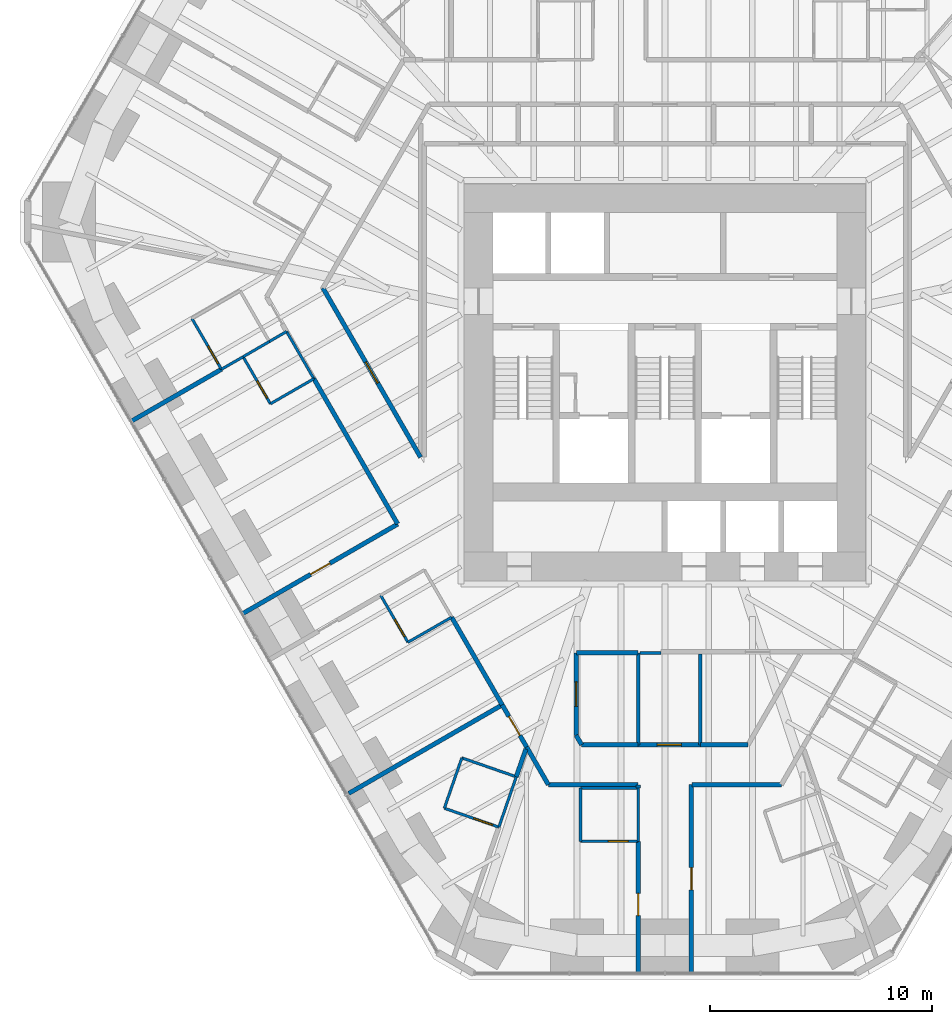
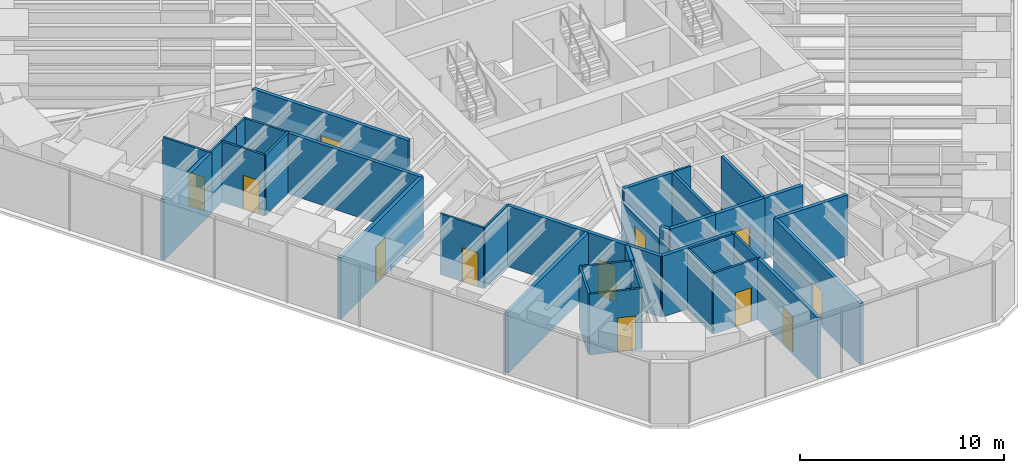
# One storey, part 11 of 17: 40 walls, 12 doors, 12 openings.
"""IFC4 building model written with IfcOpenShell, lengths in metres."""

from ifc_helpers import new_model, si_unit, direction, frame, frame_2d, origin, place, context, subcontext, project, spatial, rectangle, extrude, material, layer, layer_set, type_object, element, fill, save


model = new_model("IFC4")

# Units and contexts
model_context = context("Model", 3, precision=1e-05, world=origin(), true_north=direction((0.0, 1.0)))
body_context = subcontext(model_context, "Body", "Model", "MODEL_VIEW")
ifc_project = project(units=[si_unit("LENGTHUNIT", "METRE"), si_unit("AREAUNIT", "SQUARE_METRE"), si_unit("VOLUMEUNIT", "CUBIC_METRE"), si_unit("PLANEANGLEUNIT", "RADIAN"), si_unit("MASSUNIT", "GRAM", prefix="KILO")], contexts=[model_context])

# Site, building, storey
site_placement = place(None, origin())
site = spatial("IfcSite", under=ifc_project, at=site_placement, CompositionType="ELEMENT")
building_placement = place(site_placement, origin())
building = spatial("IfcBuilding", under=site, at=building_placement, Name="Sandreach Pilgrim Tower", CompositionType="ELEMENT")
storey_placement = place(building_placement, frame((0.0, 0.0, 100.60009765625)))
storey = spatial("IfcBuildingStorey", under=building, at=storey_placement, Name="L24", CompositionType="ELEMENT", Elevation=100.60009765625)

# Walls
ifc_material_1 = material(Name="Gypsum board on steel studs", Category="steel")
ifc_layer_1 = layer(ifc_material_1, 0.14990234375)
ifc_layer_set_1 = layer_set([ifc_layer_1], Name="Back of house wall 150")
wall_type_1 = type_object("IfcWallType", Name="Back of house wall 150", PredefinedType="PARTITIONING", material=ifc_layer_set_1)
wall_1_placement = place(storey_placement, frame((-1.199951171875, -13.75, 0.0), z_axis=(0.0, 0.0, 1.0), x_axis=(0.0, -1.0, 0.0)))
element("IfcWall", 1, at=wall_1_placement, inside=storey, type_object=wall_type_1, Name="Back of house wall L24-082", PredefinedType="PARTITIONING", context=body_context, shape_type="SweptSolid", body=[
    extrude(rectangle(XDim=4.139892578125, YDim=0.14990234375, at=frame_2d((2.06982421875, 0.0))), origin(), (0.0, 0.0, 1.0), 3.639892578125),
])
wall_2_placement = place(storey_placement, frame((1.60009765625, -13.800048828125, 0.0), z_axis=(0.0, 0.0, 1.0), x_axis=(0.0, -1.0, 0.0)))
element("IfcWall", 2, at=wall_2_placement, inside=storey, type_object=wall_type_1, Name="Back of house wall L24-088", PredefinedType="PARTITIONING", context=body_context, shape_type="SweptSolid", body=[
    extrude(rectangle(XDim=4.08984375, YDim=0.14990234375, at=frame_2d((2.044921875, 0.0))), origin(), (0.0, 0.0, 1.0), 3.639892578125),
])

# Wall, opening, door
ifc_material_2 = material(Name="Moisture-resistant gypsum board on steel studs", Category="steel")
ifc_layer_2 = layer(ifc_material_2, 0.1201171875)
ifc_layer_set_2 = layer_set([ifc_layer_2], Name="Bathroom partition 120")
wall_type_2 = type_object("IfcWallType", Name="Bathroom partition 120", PredefinedType="PARTITIONING", material=ifc_layer_set_2)
wall_3_placement = place(storey_placement, frame((-21.320068359375, 1.330078125, 0.0), z_axis=(0.0, 0.0, 1.0), x_axis=(0.502242265546, -0.864726954997, 0.0)))
wall_3 = element("IfcWall", 3, at=wall_3_placement, inside=storey, type_object=wall_type_2, Name="Bathroom partition L24-005", PredefinedType="PARTITIONING", context=body_context, shape_type="SweptSolid", body=[
    extrude(rectangle(XDim=2.648193359375, YDim=0.1201171875, at=frame_2d((1.32421875, 0.0))), origin(), (0.0, 0.0, 1.0), 3.639892578125),
])
opening_1_placement = place(wall_3_placement, frame((1.4482421875, 0.0, 0.0)))
opening_1 = element("IfcOpeningElement", 4, at=opening_1_placement, cuts=wall_3, Name="Opening D09-15B", PredefinedType="OPENING", context=body_context, shape_type="SweptSolid", body=[
    extrude(rectangle(XDim=0.89990234375, YDim=2.030029296875, at=frame_2d((0.449951171875, 1.01513671875))), frame((0.0, 0.06005859375, 0.0), z_axis=(0.0, -1.0, 0.0), x_axis=(1.0, 0.0, 0.0)), (0.0, 0.0, 1.0), 0.1201171875),
])
ifc_material_3 = material(Name="Timber door, steel frame", Category="steel")
door_type_1 = type_object("IfcDoorType", Name="Bathroom door", OperationType="SINGLE_SWING_LEFT", PredefinedType="DOOR", material=ifc_material_3)
door_1_placement = place(opening_1_placement, origin())
door_1 = element("IfcDoor", 5, at=door_1_placement, inside=storey, type_object=door_type_1, Name="Door 2415B", OperationType="SINGLE_SWING_RIGHT", OverallHeight=2.030029296875, OverallWidth=0.89990234375, PredefinedType="DOOR", context=body_context, shape_type="SweptSolid", body=[
    extrude(rectangle(XDim=0.89990234375, YDim=2.030029296875, at=frame_2d((0.449951171875, 1.01513671875))), frame((0.0, 0.02490234375, 0.0), z_axis=(0.0, -1.0, 0.0), x_axis=(1.0, 0.0, 0.0)), (0.0, 0.0, 1.0), 0.050048828125),
])
fill(opening_1, door_1)

# Walls
wall_4_placement = place(storey_placement, frame((-19.988037109375, -0.963623046875, 0.0), z_axis=(0.0, 0.0, 1.0), x_axis=(0.866387145727, 0.49937292049, 0.0)))
element("IfcWall", 6, at=wall_4_placement, inside=storey, type_object=wall_type_2, Name="Bathroom partition L24-006", PredefinedType="PARTITIONING", context=body_context, shape_type="SweptSolid", body=[
    extrude(rectangle(XDim=1.12890625, YDim=0.1201171875, at=frame_2d((0.564453125, 0.0))), origin(), (0.0, 0.0, 1.0), 3.639892578125),
])
wall_5_placement = place(storey_placement, frame((-19.010009765625, -0.39990234375, 0.0), z_axis=(0.0, 0.0, 1.0), x_axis=(0.864425960582, 0.502760140297, 0.0)))
element("IfcWall", 7, at=wall_5_placement, inside=storey, type_object=wall_type_2, Name="Bathroom partition L24-010", PredefinedType="PARTITIONING", context=body_context, shape_type="SweptSolid", body=[
    extrude(rectangle(XDim=1.366943359375, YDim=0.1201171875, at=frame_2d((0.68359375, 0.0))), origin(), (0.0, 0.0, 1.0), 3.639892578125),
])

# Wall, opening, door
wall_6_placement = place(storey_placement, frame((-19.010009765625, -0.39990234375, 0.0), z_axis=(0.0, 0.0, 1.0), x_axis=(0.501813488763, -0.864975850817, 0.0)))
wall_6 = element("IfcWall", 8, at=wall_6_placement, inside=storey, type_object=wall_type_2, Name="Bathroom partition L24-011", PredefinedType="PARTITIONING", context=body_context, shape_type="SweptSolid", body=[
    extrude(rectangle(XDim=2.451171875, YDim=0.1201171875, at=frame_2d((1.2255859375, 0.0))), origin(), (0.0, 0.0, 1.0), 3.639892578125),
])
opening_2_placement = place(wall_6_placement, frame((1.2509765625, 0.0, 0.0)))
opening_2 = element("IfcOpeningElement", 9, at=opening_2_placement, cuts=wall_6, Name="Opening D09-14B", PredefinedType="OPENING", context=body_context, shape_type="SweptSolid", body=[
    extrude(rectangle(XDim=0.89990234375, YDim=2.030029296875, at=frame_2d((0.449951171875, 1.01513671875))), frame((0.0, 0.06005859375, 0.0), z_axis=(0.0, -1.0, 0.0), x_axis=(1.0, 0.0, 0.0)), (0.0, 0.0, 1.0), 0.1201171875),
])
door_2_placement = place(opening_2_placement, origin())
door_2 = element("IfcDoor", 10, at=door_2_placement, inside=storey, type_object=door_type_1, Name="Door 2414B", OperationType="SINGLE_SWING_RIGHT", OverallHeight=2.030029296875, OverallWidth=0.89990234375, PredefinedType="DOOR", context=body_context, shape_type="SweptSolid", body=[
    extrude(rectangle(XDim=0.89990234375, YDim=2.030029296875, at=frame_2d((0.449951171875, 1.01513671875))), frame((0.0, 0.02490234375, 0.0), z_axis=(0.0, -1.0, 0.0), x_axis=(1.0, 0.0, 0.0)), (0.0, 0.0, 1.0), 0.050048828125),
])
fill(opening_2, door_2)

# Walls
wall_7_placement = place(storey_placement, frame((-17.828369140625, 0.287353515625, 0.0), z_axis=(0.0, 0.0, 1.0), x_axis=(0.864446899112, 0.502724137689, 0.0)))
element("IfcWall", 11, at=wall_7_placement, inside=storey, type_object=wall_type_2, Name="Bathroom partition L24-016", PredefinedType="PARTITIONING", context=body_context, shape_type="SweptSolid", body=[
    extrude(rectangle(XDim=0.900390625, YDim=0.1201171875, at=frame_2d((0.4501953125, 0.0))), origin(), (0.0, 0.0, 1.0), 3.639892578125),
])
wall_8_placement = place(storey_placement, frame((-17.780029296875, -2.52001953125, 0.0), z_axis=(0.0, 0.0, 1.0), x_axis=(0.866304131286, 0.49951691875, 0.0)))
element("IfcWall", 12, at=wall_8_placement, inside=storey, type_object=wall_type_2, Name="Bathroom partition L24-018", PredefinedType="PARTITIONING", context=body_context, shape_type="SweptSolid", body=[
    extrude(rectangle(XDim=2.262451171875, YDim=0.1201171875, at=frame_2d((1.13134765625, 0.0))), origin(), (0.0, 0.0, 1.0), 3.639892578125),
])
wall_9_placement = place(storey_placement, frame((-17.05029296875, 0.739990234375, 0.0), z_axis=(0.0, 0.0, 1.0), x_axis=(0.500163488538, -0.865930993055, 0.0)))
element("IfcWall", 13, at=wall_9_placement, inside=storey, type_object=wall_type_2, Name="Bathroom partition L24-022", PredefinedType="PARTITIONING", context=body_context, shape_type="SweptSolid", body=[
    extrude(rectangle(XDim=2.459716796875, YDim=0.1201171875, at=frame_2d((1.22998046875, 0.0))), origin(), (0.0, 0.0, 1.0), 3.639892578125),
])

# Wall, opening, door
wall_10_placement = place(storey_placement, frame((-12.81005859375, -11.14990234375, 0.0), z_axis=(0.0, 0.0, 1.0), x_axis=(0.501813488763, -0.864975850817, 0.0)))
wall_10 = element("IfcWall", 14, at=wall_10_placement, inside=storey, type_object=wall_type_2, Name="Bathroom partition L24-032", PredefinedType="PARTITIONING", context=body_context, shape_type="SweptSolid", body=[
    extrude(rectangle(XDim=2.451171875, YDim=0.1201171875, at=frame_2d((1.2255859375, 0.0))), origin(), (0.0, 0.0, 1.0), 3.639892578125),
])
opening_3_placement = place(wall_10_placement, frame((1.2509765625, 0.0, 0.0)))
opening_3 = element("IfcOpeningElement", 15, at=opening_3_placement, cuts=wall_10, Name="Opening D09-13B", PredefinedType="OPENING", context=body_context, shape_type="SweptSolid", body=[
    extrude(rectangle(XDim=0.89990234375, YDim=2.030029296875, at=frame_2d((0.449951171875, 1.01513671875))), frame((0.0, 0.06005859375, 0.0), z_axis=(0.0, -1.0, 0.0), x_axis=(1.0, 0.0, 0.0)), (0.0, 0.0, 1.0), 0.1201171875),
])
door_3_placement = place(opening_3_placement, origin())
door_3 = element("IfcDoor", 16, at=door_3_placement, inside=storey, type_object=door_type_1, Name="Door 2413B", OperationType="SINGLE_SWING_RIGHT", OverallHeight=2.030029296875, OverallWidth=0.89990234375, PredefinedType="DOOR", context=body_context, shape_type="SweptSolid", body=[
    extrude(rectangle(XDim=0.89990234375, YDim=2.030029296875, at=frame_2d((0.449951171875, 1.01513671875))), frame((0.0, 0.02490234375, 0.0), z_axis=(0.0, -1.0, 0.0), x_axis=(1.0, 0.0, 0.0)), (0.0, 0.0, 1.0), 0.050048828125),
])
fill(opening_3, door_3)

# Wall
wall_11_placement = place(storey_placement, frame((-11.580078125, -13.27001953125, 0.0), z_axis=(0.0, 0.0, 1.0), x_axis=(0.867428373024, 0.497562074192, 0.0)))
element("IfcWall", 17, at=wall_11_placement, inside=storey, type_object=wall_type_2, Name="Bathroom partition L24-039", PredefinedType="PARTITIONING", context=body_context, shape_type="SweptSolid", body=[
    extrude(rectangle(XDim=2.271240234375, YDim=0.1201171875, at=frame_2d((1.1357421875, 0.0))), origin(), (0.0, 0.0, 1.0), 3.639892578125),
])

# Wall, opening, door
wall_12_placement = place(storey_placement, frame((-9.93994140625, -20.75, 0.0), z_axis=(0.0, 0.0, 1.0), x_axis=(0.94515546045, -0.326620813149, 0.0)))
wall_12 = element("IfcWall", 18, at=wall_12_placement, inside=storey, type_object=wall_type_2, Name="Bathroom partition L24-048", PredefinedType="PARTITIONING", context=body_context, shape_type="SweptSolid", body=[
    extrude(rectangle(XDim=2.602783203125, YDim=0.1201171875, at=frame_2d((1.30126953125, 0.0))), origin(), (0.0, 0.0, 1.0), 3.639892578125),
])
opening_4_placement = place(wall_12_placement, frame((1.402587890625, 0.0, 0.0)))
opening_4 = element("IfcOpeningElement", 19, at=opening_4_placement, cuts=wall_12, Name="Opening D09-12B", PredefinedType="OPENING", context=body_context, shape_type="SweptSolid", body=[
    extrude(rectangle(XDim=0.89990234375, YDim=2.030029296875, at=frame_2d((0.449951171875, 1.01513671875))), frame((0.0, 0.06005859375, 0.0), z_axis=(0.0, -1.0, 0.0), x_axis=(1.0, 0.0, 0.0)), (0.0, 0.0, 1.0), 0.1201171875),
])
door_4_placement = place(opening_4_placement, origin())
door_4 = element("IfcDoor", 20, at=door_4_placement, inside=storey, type_object=door_type_1, Name="Door 2412B", OperationType="SINGLE_SWING_RIGHT", OverallHeight=2.030029296875, OverallWidth=0.89990234375, PredefinedType="DOOR", context=body_context, shape_type="SweptSolid", body=[
    extrude(rectangle(XDim=0.89990234375, YDim=2.030029296875, at=frame_2d((0.449951171875, 1.01513671875))), frame((0.0, 0.02490234375, 0.0), z_axis=(0.0, -1.0, 0.0), x_axis=(1.0, 0.0, 0.0)), (0.0, 0.0, 1.0), 0.050048828125),
])
fill(opening_4, door_4)

# Walls
wall_13_placement = place(storey_placement, frame((-9.14990234375, -18.47998046875, 0.0), z_axis=(0.0, 0.0, 1.0), x_axis=(-0.328693963496, -0.944436487203, 0.0)))
element("IfcWall", 21, at=wall_13_placement, inside=storey, type_object=wall_type_2, Name="Bathroom partition L24-053", PredefinedType="PARTITIONING", context=body_context, shape_type="SweptSolid", body=[
    extrude(rectangle(XDim=2.403564453125, YDim=0.1201171875, at=frame_2d((1.20166015625, 0.0))), origin(), (0.0, 0.0, 1.0), 3.639892578125),
])
wall_14_placement = place(storey_placement, frame((-7.47998046875, -21.60009765625, 0.0), z_axis=(0.0, 0.0, 1.0), x_axis=(0.326492166492, 0.945199907543, 0.0)))
element("IfcWall", 22, at=wall_14_placement, inside=storey, type_object=wall_type_2, Name="Bathroom partition L24-054", PredefinedType="PARTITIONING", context=body_context, shape_type="SweptSolid", body=[
    extrude(rectangle(XDim=2.400390625, YDim=0.1201171875, at=frame_2d((1.2001953125, 0.0))), origin(), (0.0, 0.0, 1.0), 3.639892578125),
])
wall_15_placement = place(storey_placement, frame((-6.699951171875, -19.330078125, 0.0), z_axis=(0.0, 0.0, 1.0), x_axis=(-0.944753042377, 0.327782990589, 0.0)))
element("IfcWall", 23, at=wall_15_placement, inside=storey, type_object=wall_type_2, Name="Bathroom partition L24-056", PredefinedType="PARTITIONING", context=body_context, shape_type="SweptSolid", body=[
    extrude(rectangle(XDim=2.593505859375, YDim=0.1201171875, at=frame_2d((1.296875, 0.0))), origin(), (0.0, 0.0, 1.0), 3.639892578125),
])

# Wall, opening, door
wall_16_placement = place(storey_placement, frame((-3.800048828125, -22.239990234375, 0.0), z_axis=(0.0, 0.0, 1.0), x_axis=(1.0, 0.0, 0.0)))
wall_16 = element("IfcWall", 24, at=wall_16_placement, inside=storey, type_object=wall_type_2, Name="Bathroom partition L24-067", PredefinedType="PARTITIONING", context=body_context, shape_type="SweptSolid", body=[
    extrude(rectangle(XDim=2.60009765625, YDim=0.1201171875, at=frame_2d((1.300048828125, 0.0))), origin(), (0.0, 0.0, 1.0), 3.639892578125),
])
opening_5_placement = place(wall_16_placement, frame((1.25, 0.0, 0.0)))
opening_5 = element("IfcOpeningElement", 25, at=opening_5_placement, cuts=wall_16, Name="Opening D09-11B", PredefinedType="OPENING", context=body_context, shape_type="SweptSolid", body=[
    extrude(rectangle(XDim=0.89990234375, YDim=2.030029296875, at=frame_2d((0.449951171875, 1.01513671875))), frame((0.0, 0.06005859375, 0.0), z_axis=(0.0, -1.0, 0.0), x_axis=(1.0, 0.0, 0.0)), (0.0, 0.0, 1.0), 0.1201171875),
])
door_5_placement = place(opening_5_placement, origin())
door_5 = element("IfcDoor", 26, at=door_5_placement, inside=storey, type_object=door_type_1, Name="Door 2411B", OperationType="SINGLE_SWING_RIGHT", OverallHeight=2.030029296875, OverallWidth=0.89990234375, PredefinedType="DOOR", context=body_context, shape_type="SweptSolid", body=[
    extrude(rectangle(XDim=0.89990234375, YDim=2.030029296875, at=frame_2d((0.449951171875, 1.01513671875))), frame((0.0, 0.02490234375, 0.0), z_axis=(0.0, -1.0, 0.0), x_axis=(1.0, 0.0, 0.0)), (0.0, 0.0, 1.0), 0.050048828125),
])
fill(opening_5, door_5)

# Walls
wall_17_placement = place(storey_placement, frame((-3.800048828125, -19.840087890625, 0.0), z_axis=(0.0, 0.0, 1.0), x_axis=(0.0, -1.0, 0.0)))
element("IfcWall", 27, at=wall_17_placement, inside=storey, type_object=wall_type_2, Name="Bathroom partition L24-068", PredefinedType="PARTITIONING", context=body_context, shape_type="SweptSolid", body=[
    extrude(rectangle(XDim=2.39990234375, YDim=0.1201171875, at=frame_2d((1.199951171875, 0.0))), origin(), (0.0, 0.0, 1.0), 3.639892578125),
])
wall_18_placement = place(storey_placement, frame((-1.199951171875, -19.840087890625, 0.0), z_axis=(0.0, 0.0, 1.0), x_axis=(-1.0, 0.0, 0.0)))
element("IfcWall", 28, at=wall_18_placement, inside=storey, type_object=wall_type_2, Name="Bathroom partition L24-078", PredefinedType="PARTITIONING", context=body_context, shape_type="SweptSolid", body=[
    extrude(rectangle(XDim=2.60009765625, YDim=0.1201171875, at=frame_2d((1.300048828125, 0.0))), origin(), (0.0, 0.0, 1.0), 3.639892578125),
])
wall_19_placement = place(storey_placement, frame((-1.199951171875, -19.840087890625, 0.0), z_axis=(0.0, 0.0, 1.0), x_axis=(0.0, -1.0, 0.0)))
element("IfcWall", 29, at=wall_19_placement, inside=storey, type_object=wall_type_2, Name="Bathroom partition L24-079", PredefinedType="PARTITIONING", context=body_context, shape_type="SweptSolid", body=[
    extrude(rectangle(XDim=2.39990234375, YDim=0.1201171875, at=frame_2d((1.199951171875, 0.0))), origin(), (0.0, 0.0, 1.0), 3.639892578125),
])
wall_20_placement = place(storey_placement, frame((-1.125, -13.75, 0.0), z_axis=(0.0, 0.0, 1.0), x_axis=(1.0, 0.0, 0.0)))
element("IfcWall", 30, at=wall_20_placement, inside=storey, type_object=wall_type_2, Name="Bathroom partition L24-083", PredefinedType="PARTITIONING", context=body_context, shape_type="SweptSolid", body=[
    extrude(rectangle(XDim=0.955078125, YDim=0.1201171875, at=frame_2d((0.4775390625, 0.0))), origin(), (0.0, 0.0, 1.0), 3.639892578125),
])

# Wall, opening, door
ifc_material_4 = material(Name="Gypsum board on steel studs, two layers each side", Category="steel")
ifc_layer_3 = layer(ifc_material_4, 0.199951171875)
ifc_layer_set_3 = layer_set([ifc_layer_3], Name="Corridor wall 200")
wall_type_3 = type_object("IfcWallType", Name="Corridor wall 200", PredefinedType="PARTITIONING", material=ifc_layer_set_3)
wall_21_placement = place(storey_placement, frame((-19.02392578125, -11.97509765625, 0.0), z_axis=(0.0, 0.0, 1.0), x_axis=(0.865863907772, 0.500279615034, 0.0)))
wall_21 = element("IfcWall", 31, at=wall_21_placement, inside=storey, type_object=wall_type_3, Name="Corridor wall L24-009", PredefinedType="PARTITIONING", context=body_context, shape_type="SweptSolid", body=[
    extrude(rectangle(XDim=8.06591796875, YDim=0.199951171875, at=frame_2d((4.032958984375, 0.0))), origin(), (0.0, 0.0, 1.0), 3.639892578125),
])
opening_6_placement = place(wall_21_placement, frame((3.532958984375, 0.0, 0.0)))
opening_6 = element("IfcOpeningElement", 32, at=opening_6_placement, cuts=wall_21, Name="Opening D10-14", PredefinedType="OPENING", context=body_context, shape_type="SweptSolid", body=[
    extrude(rectangle(XDim=1.0, YDim=2.1298828125, at=frame_2d((0.5, 1.06494140625))), frame((0.0, 0.10009765625, 0.0), z_axis=(0.0, -1.0, 0.0), x_axis=(1.0, 0.0, 0.0)), (0.0, 0.0, 1.0), 0.199951171875),
])
ifc_material_5 = material(Name="Steel door and frame", Category="steel")
door_type_2 = type_object("IfcDoorType", Name="Guest room entry door", OperationType="SINGLE_SWING_LEFT", PredefinedType="DOOR", material=ifc_material_5)
door_6_placement = place(opening_6_placement, origin())
door_6 = element("IfcDoor", 33, at=door_6_placement, inside=storey, type_object=door_type_2, Name="Door 2414", OperationType="SINGLE_SWING_LEFT", OverallHeight=2.1298828125, OverallWidth=1.0, PredefinedType="DOOR", context=body_context, shape_type="SweptSolid", body=[
    extrude(rectangle(XDim=1.0, YDim=2.1298828125, at=frame_2d((0.5, 1.06494140625))), frame((0.0, 0.02490234375, 0.0), z_axis=(0.0, -1.0, 0.0), x_axis=(1.0, 0.0, 0.0)), (0.0, 0.0, 1.0), 0.050048828125),
])
fill(opening_6, door_6)

# Wall
wall_22_placement = place(storey_placement, frame((-15.820068359375, -1.389892578125, 0.0), z_axis=(0.0, 0.0, 1.0), x_axis=(0.499851259758, -0.866111261974, 0.0)))
element("IfcWall", 34, at=wall_22_placement, inside=storey, type_object=wall_type_3, Name="Corridor wall L24-025", PredefinedType="PARTITIONING", context=body_context, shape_type="SweptSolid", body=[
    extrude(rectangle(XDim=7.547607421875, YDim=0.199951171875, at=frame_2d((3.77392578125, 0.0))), origin(), (0.0, 0.0, 1.0), 3.639892578125),
])

# Wall, opening, door
wall_23_placement = place(storey_placement, frame((-11.010009765625, -4.929931640625, 0.0), z_axis=(0.0, 0.0, 1.0), x_axis=(-0.499556067326, 0.866281556769, 0.0)))
wall_23 = element("IfcWall", 35, at=wall_23_placement, inside=storey, type_object=wall_type_3, Name="Corridor wall L24-041", PredefinedType="PARTITIONING", context=body_context, shape_type="SweptSolid", body=[
    extrude(rectangle(XDim=8.8076171875, YDim=0.199951171875, at=frame_2d((4.40380859375, 0.0))), origin(), (0.0, 0.0, 1.0), 3.639892578125),
])
opening_7_placement = place(wall_23_placement, frame((3.85400390625, 0.0, 0.0)))
opening_7 = element("IfcOpeningElement", 36, at=opening_7_placement, cuts=wall_23, Name="Opening D11H-M01", PredefinedType="OPENING", context=body_context, shape_type="SweptSolid", body=[
    extrude(rectangle(XDim=1.10009765625, YDim=2.199951171875, at=frame_2d((0.550048828125, 1.10009765625))), frame((0.0, 0.10009765625, 0.0), z_axis=(0.0, -1.0, 0.0), x_axis=(1.0, 0.0, 0.0)), (0.0, 0.0, 1.0), 0.199951171875),
])
ifc_material_6 = material(Name="Steel door and frame", Category="steel")
door_type_3 = type_object("IfcDoorType", Name="Back of house door", OperationType="SINGLE_SWING_LEFT", PredefinedType="DOOR", material=ifc_material_6)
door_7_placement = place(opening_7_placement, origin())
door_7 = element("IfcDoor", 37, at=door_7_placement, inside=storey, type_object=door_type_3, Name="Door 24M01", OperationType="SINGLE_SWING_LEFT", OverallHeight=2.199951171875, OverallWidth=1.10009765625, PredefinedType="DOOR", context=body_context, shape_type="SweptSolid", body=[
    extrude(rectangle(XDim=1.10009765625, YDim=2.199951171875, at=frame_2d((0.550048828125, 1.10009765625))), frame((0.0, 0.02490234375, 0.0), z_axis=(0.0, -1.0, 0.0), x_axis=(1.0, 0.0, 0.0)), (0.0, 0.0, 1.0), 0.050048828125),
])
fill(opening_7, door_7)

# Wall
wall_24_placement = place(storey_placement, frame((-9.610107421875, -12.139892578125, 0.0), z_axis=(0.0, 0.0, 1.0), x_axis=(0.499898533245, -0.866083977718, 0.0)))
element("IfcWall", 38, at=wall_24_placement, inside=storey, type_object=wall_type_3, Name="Corridor wall L24-051", PredefinedType="PARTITIONING", context=body_context, shape_type="SweptSolid", body=[
    extrude(rectangle(XDim=4.56103515625, YDim=0.199951171875, at=frame_2d((2.280517578125, 0.0))), origin(), (0.0, 0.0, 1.0), 3.639892578125),
])

# Wall, opening, door
wall_25_placement = place(storey_placement, frame((-7.3310546875, -16.090576171875, 0.0), z_axis=(0.0, 0.0, 1.0), x_axis=(0.501518373175, -0.865146994081, 0.0)))
wall_25 = element("IfcWall", 39, at=wall_25_placement, inside=storey, type_object=wall_type_3, Name="Corridor wall L24-055", PredefinedType="PARTITIONING", context=body_context, shape_type="SweptSolid", body=[
    extrude(rectangle(XDim=2.195556640625, YDim=0.199951171875, at=frame_2d((1.09765625, 0.0))), origin(), (0.0, 0.0, 1.0), 3.639892578125),
])
opening_8_placement = place(wall_25_placement, frame((0.59765625, 0.0, 0.0)))
opening_8 = element("IfcOpeningElement", 40, at=opening_8_placement, cuts=wall_25, Name="Opening D10-12", PredefinedType="OPENING", context=body_context, shape_type="SweptSolid", body=[
    extrude(rectangle(XDim=1.0, YDim=2.1298828125, at=frame_2d((0.5, 1.06494140625))), frame((0.0, 0.10009765625, 0.0), z_axis=(0.0, -1.0, 0.0), x_axis=(1.0, 0.0, 0.0)), (0.0, 0.0, 1.0), 0.199951171875),
])
door_8_placement = place(opening_8_placement, origin())
door_8 = element("IfcDoor", 41, at=door_8_placement, inside=storey, type_object=door_type_2, Name="Door 2412", OperationType="SINGLE_SWING_LEFT", OverallHeight=2.1298828125, OverallWidth=1.0, PredefinedType="DOOR", context=body_context, shape_type="SweptSolid", body=[
    extrude(rectangle(XDim=1.0, YDim=2.1298828125, at=frame_2d((0.5, 1.06494140625))), frame((0.0, 0.02490234375, 0.0), z_axis=(0.0, -1.0, 0.0), x_axis=(1.0, 0.0, 0.0)), (0.0, 0.0, 1.0), 0.050048828125),
])
fill(opening_8, door_8)

# Walls
wall_26_placement = place(storey_placement, frame((-6.22998046875, -17.989990234375, 0.0), z_axis=(0.0, 0.0, 1.0), x_axis=(0.499431599995, -0.866353321068, 0.0)))
element("IfcWall", 42, at=wall_26_placement, inside=storey, type_object=wall_type_3, Name="Corridor wall L24-061", PredefinedType="PARTITIONING", context=body_context, shape_type="SweptSolid", body=[
    extrude(rectangle(XDim=1.962158203125, YDim=0.199951171875, at=frame_2d((0.98095703125, 0.0))), origin(), (0.0, 0.0, 1.0), 3.639892578125),
])
wall_27_placement = place(storey_placement, frame((-5.25, -19.68994140625, 0.0), z_axis=(0.0, 0.0, 1.0), x_axis=(1.0, 0.0, 0.0)))
element("IfcWall", 43, at=wall_27_placement, inside=storey, type_object=wall_type_3, Name="Corridor wall L24-064", PredefinedType="PARTITIONING", context=body_context, shape_type="SweptSolid", body=[
    extrude(rectangle(XDim=4.050048828125, YDim=0.199951171875, at=frame_2d((2.02490234375, 0.0))), origin(), (0.0, 0.0, 1.0), 3.639892578125),
])

# Wall, opening, door
wall_28_placement = place(storey_placement, frame((-4.0, -17.4599609375, 0.0), z_axis=(0.0, 0.0, 1.0), x_axis=(0.0, 1.0, 0.0)))
wall_28 = element("IfcWall", 44, at=wall_28_placement, inside=storey, type_object=wall_type_3, Name="Corridor wall L24-065", PredefinedType="PARTITIONING", context=body_context, shape_type="SweptSolid", body=[
    extrude(rectangle(XDim=3.7099609375, YDim=0.199951171875, at=frame_2d((1.85498046875, 0.0))), origin(), (0.0, 0.0, 1.0), 2.8779296875),
])
opening_9_placement = place(wall_28_placement, frame((1.304931640625, 0.0, 0.0)))
opening_9 = element("IfcOpeningElement", 45, at=opening_9_placement, cuts=wall_28, Name="Opening D11H-S2", PredefinedType="OPENING", context=body_context, shape_type="SweptSolid", body=[
    extrude(rectangle(XDim=1.10009765625, YDim=2.199951171875, at=frame_2d((0.550048828125, 1.10009765625))), frame((0.0, 0.10009765625, 0.0), z_axis=(0.0, -1.0, 0.0), x_axis=(1.0, 0.0, 0.0)), (0.0, 0.0, 1.0), 0.199951171875),
])
door_9_placement = place(opening_9_placement, origin())
door_9 = element("IfcDoor", 46, at=door_9_placement, inside=storey, type_object=door_type_3, Name="Door 24S2", OperationType="SINGLE_SWING_LEFT", OverallHeight=2.199951171875, OverallWidth=1.10009765625, PredefinedType="DOOR", context=body_context, shape_type="SweptSolid", body=[
    extrude(rectangle(XDim=1.10009765625, YDim=2.199951171875, at=frame_2d((0.550048828125, 1.10009765625))), frame((0.0, 0.02490234375, 0.0), z_axis=(0.0, -1.0, 0.0), x_axis=(1.0, 0.0, 0.0)), (0.0, 0.0, 1.0), 0.050048828125),
])
fill(opening_9, door_9)

# Walls
wall_29_placement = place(storey_placement, frame((-3.989990234375, -13.75, 0.0), z_axis=(0.0, 0.0, 1.0), x_axis=(1.0, 0.0, 0.0)))
element("IfcWall", 47, at=wall_29_placement, inside=storey, type_object=wall_type_3, Name="Corridor wall L24-066", PredefinedType="PARTITIONING", context=body_context, shape_type="SweptSolid", body=[
    extrude(rectangle(XDim=2.7900390625, YDim=0.199951171875, at=frame_2d((1.39501953125, 0.0))), origin(), (0.0, 0.0, 1.0), 3.639892578125),
])
wall_30_placement = place(storey_placement, frame((-3.75, -17.889892578125, 0.0), z_axis=(0.0, 0.0, 1.0), x_axis=(-0.502680181512, 0.864472460588, 0.0)))
element("IfcWall", 48, at=wall_30_placement, inside=storey, type_object=wall_type_3, Name="Corridor wall L24-069", PredefinedType="PARTITIONING", context=body_context, shape_type="SweptSolid", body=[
    extrude(rectangle(XDim=0.497314453125, YDim=0.199951171875, at=frame_2d((0.24853515625, 0.0))), origin(), (0.0, 0.0, 1.0), 3.639892578125),
])

# Wall, opening, door
wall_31_placement = place(storey_placement, frame((-1.199951171875, -22.239990234375, 0.0), z_axis=(0.0, 0.0, 1.0), x_axis=(0.0, -1.0, 0.0)))
wall_31 = element("IfcWall", 49, at=wall_31_placement, inside=storey, type_object=wall_type_3, Name="Corridor wall L24-077", PredefinedType="PARTITIONING", context=body_context, shape_type="SweptSolid", body=[
    extrude(rectangle(XDim=5.919921875, YDim=0.199951171875, at=frame_2d((2.9599609375, 0.0))), origin(), (0.0, 0.0, 1.0), 3.639892578125),
])
opening_10_placement = place(wall_31_placement, frame((2.35009765625, 0.0, 0.0)))
opening_10 = element("IfcOpeningElement", 50, at=opening_10_placement, cuts=wall_31, Name="Opening D10-11", PredefinedType="OPENING", context=body_context, shape_type="SweptSolid", body=[
    extrude(rectangle(XDim=1.0, YDim=2.1298828125, at=frame_2d((0.5, 1.06494140625))), frame((0.0, 0.10009765625, 0.0), z_axis=(0.0, -1.0, 0.0), x_axis=(1.0, 0.0, 0.0)), (0.0, 0.0, 1.0), 0.199951171875),
])
door_10_placement = place(opening_10_placement, origin())
door_10 = element("IfcDoor", 51, at=door_10_placement, inside=storey, type_object=door_type_2, Name="Door 2411", OperationType="SINGLE_SWING_LEFT", OverallHeight=2.1298828125, OverallWidth=1.0, PredefinedType="DOOR", context=body_context, shape_type="SweptSolid", body=[
    extrude(rectangle(XDim=1.0, YDim=2.1298828125, at=frame_2d((0.5, 1.06494140625))), frame((0.0, 0.02490234375, 0.0), z_axis=(0.0, -1.0, 0.0), x_axis=(1.0, 0.0, 0.0)), (0.0, 0.0, 1.0), 0.050048828125),
])
fill(opening_10, door_10)

# Walls
wall_32_placement = place(storey_placement, frame((-1.199951171875, -19.699951171875, 0.0), z_axis=(0.0, 0.0, 1.0), x_axis=(0.0, -1.0, 0.0)))
element("IfcWall", 52, at=wall_32_placement, inside=storey, type_object=wall_type_3, Name="Corridor wall L24-080", PredefinedType="PARTITIONING", context=body_context, shape_type="SweptSolid", body=[
    extrude(rectangle(XDim=0.14013671875, YDim=0.199951171875, at=frame_2d((0.070068359375, 0.0))), origin(), (0.0, 0.0, 1.0), 3.639892578125),
])
wall_33_placement = place(storey_placement, frame((-1.199951171875, -17.889892578125, 0.0), z_axis=(0.0, 0.0, 1.0), x_axis=(-1.0, 0.0, 0.0)))
element("IfcWall", 53, at=wall_33_placement, inside=storey, type_object=wall_type_3, Name="Corridor wall L24-081", PredefinedType="PARTITIONING", context=body_context, shape_type="SweptSolid", body=[
    extrude(rectangle(XDim=2.550048828125, YDim=0.199951171875, at=frame_2d((1.27490234375, 0.0))), origin(), (0.0, 0.0, 1.0), 3.639892578125),
])

# Wall, opening, door
wall_34_placement = place(storey_placement, frame((1.199951171875, -28.159912109375, 0.0), z_axis=(0.0, 0.0, 1.0), x_axis=(0.0, 1.0, 0.0)))
wall_34 = element("IfcWall", 54, at=wall_34_placement, inside=storey, type_object=wall_type_3, Name="Corridor wall L24-085", PredefinedType="PARTITIONING", context=body_context, shape_type="SweptSolid", body=[
    extrude(rectangle(XDim=8.469970703125, YDim=0.199951171875, at=frame_2d((4.23486328125, 0.0))), origin(), (0.0, 0.0, 1.0), 3.639892578125),
])
opening_11_placement = place(wall_34_placement, frame((3.735107421875, 0.0, 0.0)))
opening_11 = element("IfcOpeningElement", 55, at=opening_11_placement, cuts=wall_34, Name="Opening D10-10", PredefinedType="OPENING", context=body_context, shape_type="SweptSolid", body=[
    extrude(rectangle(XDim=1.0, YDim=2.1298828125, at=frame_2d((0.5, 1.06494140625))), frame((0.0, 0.10009765625, 0.0), z_axis=(0.0, -1.0, 0.0), x_axis=(1.0, 0.0, 0.0)), (0.0, 0.0, 1.0), 0.199951171875),
])
door_11_placement = place(opening_11_placement, origin())
door_11 = element("IfcDoor", 56, at=door_11_placement, inside=storey, type_object=door_type_2, Name="Door 2410", OperationType="SINGLE_SWING_LEFT", OverallHeight=2.1298828125, OverallWidth=1.0, PredefinedType="DOOR", context=body_context, shape_type="SweptSolid", body=[
    extrude(rectangle(XDim=1.0, YDim=2.1298828125, at=frame_2d((0.5, 1.06494140625))), frame((0.0, 0.02490234375, 0.0), z_axis=(0.0, -1.0, 0.0), x_axis=(1.0, 0.0, 0.0)), (0.0, 0.0, 1.0), 0.050048828125),
])
fill(opening_11, door_11)

# Wall
wall_35_placement = place(storey_placement, frame((1.215087890625, -19.68994140625, 0.0), z_axis=(0.0, 0.0, 1.0), x_axis=(1.0, 0.0, 0.0)))
element("IfcWall", 57, at=wall_35_placement, inside=storey, type_object=wall_type_3, Name="Corridor wall L24-086", PredefinedType="PARTITIONING", context=body_context, shape_type="SweptSolid", body=[
    extrude(rectangle(XDim=4.034912109375, YDim=0.199951171875, at=frame_2d((2.017578125, 0.0))), origin(), (0.0, 0.0, 1.0), 3.639892578125),
])

# Wall, opening, door
wall_36_placement = place(storey_placement, frame((1.60009765625, -17.889892578125, 0.0), z_axis=(0.0, 0.0, 1.0), x_axis=(-1.0, 0.0, 0.0)))
wall_36 = element("IfcWall", 58, at=wall_36_placement, inside=storey, type_object=wall_type_3, Name="Corridor wall L24-087", PredefinedType="PARTITIONING", context=body_context, shape_type="SweptSolid", body=[
    extrude(rectangle(XDim=2.800048828125, YDim=0.199951171875, at=frame_2d((1.39990234375, 0.0))), origin(), (0.0, 0.0, 1.0), 3.639892578125),
])
opening_12_placement = place(wall_36_placement, frame((0.85009765625, 0.0, 0.0)))
opening_12 = element("IfcOpeningElement", 59, at=opening_12_placement, cuts=wall_36, Name="Opening D11H-S3", PredefinedType="OPENING", context=body_context, shape_type="SweptSolid", body=[
    extrude(rectangle(XDim=1.10009765625, YDim=2.199951171875, at=frame_2d((0.550048828125, 1.10009765625))), frame((0.0, 0.10009765625, 0.0), z_axis=(0.0, -1.0, 0.0), x_axis=(1.0, 0.0, 0.0)), (0.0, 0.0, 1.0), 0.199951171875),
])
door_12_placement = place(opening_12_placement, origin())
door_12 = element("IfcDoor", 60, at=door_12_placement, inside=storey, type_object=door_type_3, Name="Door 24S3", OperationType="SINGLE_SWING_LEFT", OverallHeight=2.199951171875, OverallWidth=1.10009765625, PredefinedType="DOOR", context=body_context, shape_type="SweptSolid", body=[
    extrude(rectangle(XDim=1.10009765625, YDim=2.199951171875, at=frame_2d((0.550048828125, 1.10009765625))), frame((0.0, 0.02490234375, 0.0), z_axis=(0.0, -1.0, 0.0), x_axis=(1.0, 0.0, 0.0)), (0.0, 0.0, 1.0), 0.050048828125),
])
fill(opening_12, door_12)

# Walls
wall_37_placement = place(storey_placement, frame((3.75, -17.889892578125, 0.0), z_axis=(0.0, 0.0, 1.0), x_axis=(-1.0, 0.0, 0.0)))
element("IfcWall", 61, at=wall_37_placement, inside=storey, type_object=wall_type_3, Name="Corridor wall L24-092", PredefinedType="PARTITIONING", context=body_context, shape_type="SweptSolid", body=[
    extrude(rectangle(XDim=2.14990234375, YDim=0.199951171875, at=frame_2d((1.074951171875, 0.0))), origin(), (0.0, 0.0, 1.0), 3.639892578125),
])
ifc_material_7 = material(Name="Double steel stud acoustic wall, gypsum board", Category="steel")
ifc_layer_4 = layer(ifc_material_7, 0.199951171875)
ifc_layer_set_4 = layer_set([ifc_layer_4], Name="Party wall 200")
wall_type_4 = type_object("IfcWallType", Name="Party wall 200", PredefinedType="PARTITIONING", material=ifc_layer_set_4)
wall_38_placement = place(storey_placement, frame((-24.033935546875, -3.294921875, 0.0), z_axis=(0.0, 0.0, 1.0), x_axis=(0.866451815884, 0.499260704193, 0.0)))
element("IfcWall", 62, at=wall_38_placement, inside=storey, type_object=wall_type_4, Name="Party wall L24-003", PredefinedType="PARTITIONING", context=body_context, shape_type="SweptSolid", body=[
    extrude(rectangle(XDim=4.66943359375, YDim=0.199951171875, at=frame_2d((2.334716796875, 0.0))), origin(), (0.0, 0.0, 1.0), 3.639892578125),
])
wall_39_placement = place(storey_placement, frame((-14.24609375, -20.080078125, 0.0), z_axis=(0.0, 0.0, 1.0), x_axis=(0.866178955952, 0.49973394548, 0.0)))
element("IfcWall", 63, at=wall_39_placement, inside=storey, type_object=wall_type_4, Name="Party wall L24-029", PredefinedType="PARTITIONING", context=body_context, shape_type="SweptSolid", body=[
    extrude(rectangle(XDim=7.969482421875, YDim=0.199951171875, at=frame_2d((3.98486328125, 0.0))), origin(), (0.0, 0.0, 1.0), 3.639892578125),
])
wall_40_placement = place(storey_placement, frame((-6.6962890625, -19.331298828125, 0.0), z_axis=(0.0, 0.0, 1.0), x_axis=(0.328298231075, 0.944574121746, 0.0)))
element("IfcWall", 64, at=wall_40_placement, inside=storey, type_object=wall_type_4, Name="Party wall L24-057", PredefinedType="PARTITIONING", context=body_context, shape_type="SweptSolid", body=[
    extrude(rectangle(XDim=1.320068359375, YDim=0.199951171875, at=frame_2d((0.66015625, 0.0))), origin(), (0.0, 0.0, 1.0), 3.639892578125),
])

save(model, "model.ifc")
